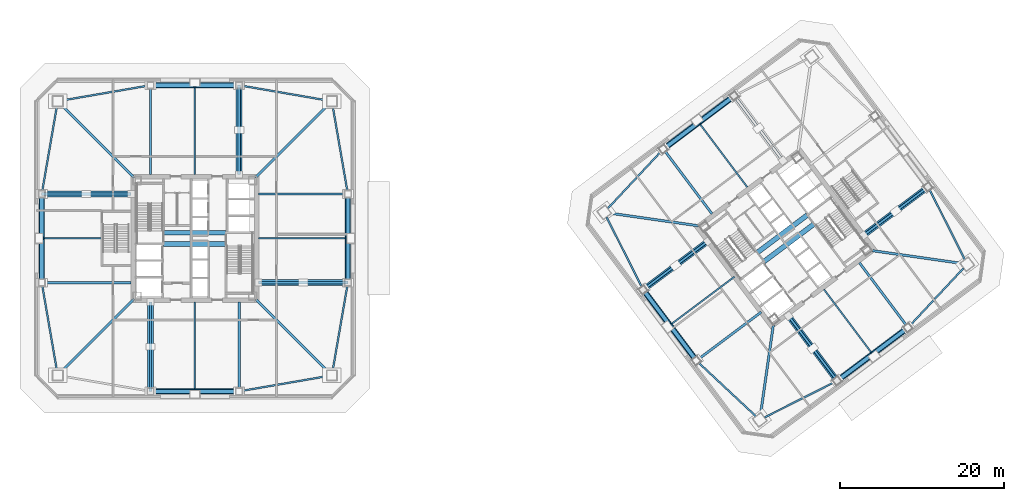
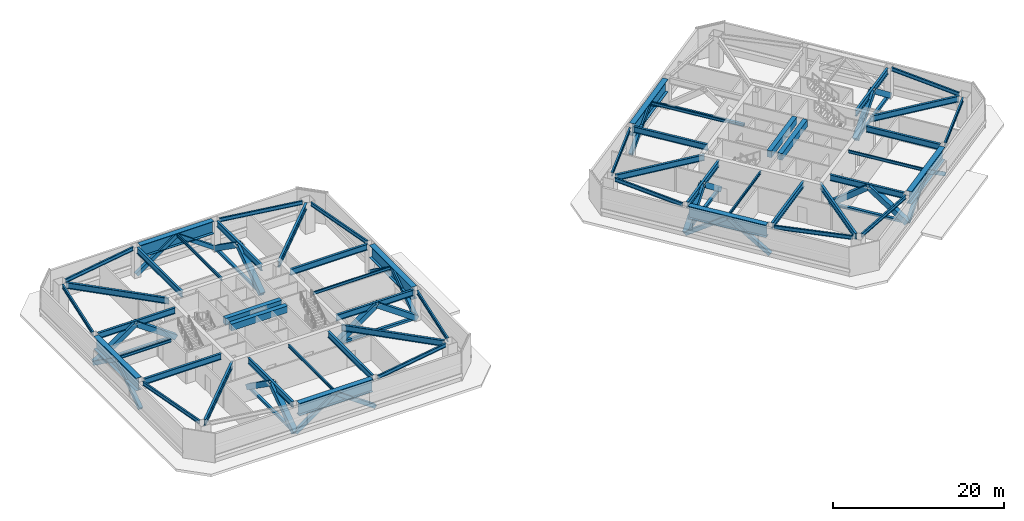
# One storey, part 3 of 15: 52 beams, 36 members.
"""IFC4 building model written with IfcOpenShell, lengths in metres."""

from ifc_helpers import new_model, si_unit, direction, frame, origin, origin_2d, place, context, subcontext, project, spatial, rectangle, hollow_rectangle, i_section, extrude, material, material_profile, profile_set, type_object, element, save


model = new_model("IFC4")

# Units and contexts
model_context = context("Model", 3, precision=1e-05, world=origin(), true_north=direction((0.0, 1.0)))
body_context = subcontext(model_context, "Body", "Model", "MODEL_VIEW")
ifc_project = project(units=[si_unit("LENGTHUNIT", "METRE"), si_unit("AREAUNIT", "SQUARE_METRE"), si_unit("VOLUMEUNIT", "CUBIC_METRE"), si_unit("PLANEANGLEUNIT", "RADIAN"), si_unit("MASSUNIT", "GRAM", prefix="KILO")], contexts=[model_context])

# Site, building, storey
site_placement = place(None, origin())
site = spatial("IfcSite", under=ifc_project, at=site_placement, CompositionType="ELEMENT")
building_placement = place(site_placement, origin())
building = spatial("IfcBuilding", under=site, at=building_placement, Name="Tashvorn Skyway Center", CompositionType="ELEMENT")
storey_placement = place(building_placement, frame((0.0, 0.0, 109.800048828125)))
storey = spatial("IfcBuildingStorey", under=building, at=storey_placement, Name="L29", CompositionType="ELEMENT", Elevation=109.800048828125)

# Beams
ifc_material_1 = material(Name="Steel ASTM A572 Grade 50", Category="steel")
ifc_material_profile_1 = material_profile(ifc_material_1, i_section(OverallWidth=0.699951171875, OverallDepth=1.800048828125, WebThickness=0.031982421875, FlangeThickness=0.050048828125, at=origin_2d()), Name="PG1800x700")
ifc_profile_set_1 = profile_set([ifc_material_profile_1], Name="Steel ASTM A572 Grade 50")
beam_type_1 = type_object("IfcBeamType", Name="BM-BEAM-PG1800x700", PredefinedType="BEAM", material=ifc_profile_set_1)
for number, where, z_axis, x_axis, name in (
    (1, (37.02001953125, 13.35009765625, 3.52001953125), (1.0, 0.0, 0.0), (0.0, 1.0, 0.0), "Tower 1 L29 Spandrel Beam 02"),
    (2, (60.64990234375, 27.02001953125, 3.52001953125), (0.0, 1.0, 0.0), (-1.0, 0.0, 0.0), "Tower 1 L29 Spandrel Beam 05"),
    (3, (46.97998046875, 50.64990234375, 3.52001953125), (-1.0, 0.0, 0.0), (0.0, -1.0, 0.0), "Tower 1 L29 Spandrel Beam 08"),
    (4, (23.35009765625, 36.97998046875, 3.52001953125), (0.0, -1.0, 0.0), (1.0, 0.0, 0.0), "Tower 1 L29 Spandrel Beam 11"),
    (5, (120.60595703125, 14.89208984375, 3.52001953125), (0.800008824351, 0.599988234018, 0.0), (-0.599988234018, 0.800008824351, 0.0), "Tower 2 L29 Spandrel Beam 02"),
    (6, (107.39404296875, 49.10791015625, 3.52001953125), (-0.800008824351, -0.599988234018, 0.0), (0.599988234018, -0.800008824351, 0.0), "Tower 2 L29 Spandrel Beam 08"),
    (7, (96.89208984375, 25.39404296875, 3.52001953125), (0.599988234018, -0.800008824351, 0.0), (0.800008824351, 0.599988234018, 0.0), "Tower 2 L29 Spandrel Beam 11"),
):
    element("IfcBeam", number, at=place(storey_placement, frame(where, z_axis=z_axis, x_axis=x_axis)), inside=storey, type_object=beam_type_1, Name=name, PredefinedType="BEAM", context=body_context, shape_type="SweptSolid", body=[
        extrude(i_section(OverallWidth=0.699951171875, OverallDepth=1.800048828125, WebThickness=0.031982421875, FlangeThickness=0.050048828125, at=origin_2d()), origin(), (0.0, 0.0, 1.0), 9.9599609375),
    ])
ifc_material_2 = material(Name="Steel ASTM A992 Grade 50", Category="steel")
ifc_material_profile_2 = material_profile(ifc_material_2, i_section(OverallWidth=0.2919921875, OverallDepth=0.85888671875, WebThickness=0.01708984375, FlangeThickness=0.031005859375, at=origin_2d()), Name="W33X169")
ifc_profile_set_2 = profile_set([ifc_material_profile_2], Name="Steel ASTM A992 Grade 50")
beam_type_2 = type_object("IfcBeamType", Name="BM-BEAM-W33X169", PredefinedType="BEAM", material=ifc_profile_set_2)
for number, where, z_axis, x_axis, name in (
    (8, (25.756103515625, 15.756103515625, 3.990478515625), (0.707106781187, 0.707106781187, 0.0), (-0.707106781187, 0.707106781187, 0.0), "Tower 1 L29 Primary Floor Girder MC-SW"),
    (9, (58.243896484375, 15.756103515625, 3.990478515625), (-0.707106781187, 0.707106781187, 0.0), (-0.707106781187, -0.707106781187, 0.0), "Tower 1 L29 Primary Floor Girder MC-SE"),
    (10, (58.243896484375, 48.243896484375, 3.990478515625), (-0.707106781187, -0.707106781187, 0.0), (0.707106781187, -0.707106781187, 0.0), "Tower 1 L29 Primary Floor Girder MC-NE"),
    (11, (25.756103515625, 48.243896484375, 3.990478515625), (0.707106781187, -0.707106781187, 0.0), (0.707106781187, 0.707106781187, 0.0), "Tower 1 L29 Primary Floor Girder MC-NW"),
):
    element("IfcBeam", number, at=place(storey_placement, frame(where, z_axis=z_axis, x_axis=x_axis)), inside=storey, type_object=beam_type_2, Name=name, PredefinedType="BEAM", context=body_context, shape_type="SweptSolid", body=[
        extrude(i_section(OverallWidth=0.2919921875, OverallDepth=0.85888671875, WebThickness=0.01708984375, FlangeThickness=0.031005859375, at=origin_2d()), origin(), (0.0, 0.0, 1.0), 12.50732421875),
    ])
for number, where, z_axis, x_axis, name in (
    (12, (36.60009765625, 13.77001953125, 3.990478515625), (0.0, 1.0, 0.0), (-1.0, 0.0, 0.0), "Tower 1 L29 Primary Floor Girder FC-S1"),
    (13, (47.39990234375, 13.77001953125, 3.990478515625), (0.0, 1.0, 0.0), (-1.0, 0.0, 0.0), "Tower 1 L29 Primary Floor Girder FC-S2"),
    (14, (60.22998046875, 26.60009765625, 3.990478515625), (-1.0, 0.0, 0.0), (0.0, -1.0, 0.0), "Tower 1 L29 Primary Floor Girder FC-E1"),
    (15, (60.22998046875, 37.39990234375, 3.990478515625), (-1.0, 0.0, 0.0), (0.0, -1.0, 0.0), "Tower 1 L29 Primary Floor Girder FC-E2"),
    (16, (47.39990234375, 50.22998046875, 3.990478515625), (0.0, -1.0, 0.0), (1.0, 0.0, 0.0), "Tower 1 L29 Primary Floor Girder FC-N1"),
    (17, (36.60009765625, 50.22998046875, 3.990478515625), (0.0, -1.0, 0.0), (1.0, 0.0, 0.0), "Tower 1 L29 Primary Floor Girder FC-N2"),
    (18, (23.77001953125, 37.39990234375, 3.990478515625), (1.0, 0.0, 0.0), (0.0, 1.0, 0.0), "Tower 1 L29 Primary Floor Girder FC-W1"),
    (19, (23.77001953125, 26.60009765625, 3.990478515625), (1.0, 0.0, 0.0), (0.0, 1.0, 0.0), "Tower 1 L29 Primary Floor Girder FC-W2"),
):
    element("IfcBeam", number, at=place(storey_placement, frame(where, z_axis=z_axis, x_axis=x_axis)), inside=storey, type_object=beam_type_2, Name=name, PredefinedType="BEAM", context=body_context, shape_type="SweptSolid", body=[
        extrude(i_section(OverallWidth=0.2919921875, OverallDepth=0.85888671875, WebThickness=0.01708984375, FlangeThickness=0.031005859375, at=origin_2d()), origin(), (0.0, 0.0, 1.0), 10.449951171875),
    ])
for number, where, z_axis, x_axis, name in (
    (20, (110.93115234375, 10.5185546875, 3.990478515625), (0.141430483583, 0.989948189712, 0.0), (-0.989948189712, 0.141430483583, 0.0), "Tower 2 L29 Primary Floor Girder MC-SW"),
    (21, (135.4814453125, 28.93115234375, 3.990478515625), (-0.989948189712, 0.141430483583, 0.0), (-0.141430483583, -0.989948189712, 0.0), "Tower 2 L29 Primary Floor Girder MC-SE"),
    (22, (92.5185546875, 35.06884765625, 3.990478515625), (0.989948189712, -0.141430483583, 0.0), (0.141430483583, 0.989948189712, 0.0), "Tower 2 L29 Primary Floor Girder MC-NW"),
):
    element("IfcBeam", number, at=place(storey_placement, frame(where, z_axis=z_axis, x_axis=x_axis)), inside=storey, type_object=beam_type_2, Name=name, PredefinedType="BEAM", context=body_context, shape_type="SweptSolid", body=[
        extrude(i_section(OverallWidth=0.2919921875, OverallDepth=0.85888671875, WebThickness=0.01708984375, FlangeThickness=0.031005859375, at=origin_2d()), origin(), (0.0, 0.0, 1.0), 11.234375),
    ])
for number, where, z_axis, x_axis, name in (
    (23, (120.01806640625, 14.97607421875, 3.990478515625), (-0.600020667896, 0.799984498661, 0.0), (-0.799984498661, -0.600020667896, 0.0), "Tower 2 L29 Primary Floor Girder FC-S1"),
    (24, (128.657958984375, 21.4560546875, 3.990478515625), (-0.599991732772, 0.800006200354, 0.0), (-0.800006200354, -0.599991732772, 0.0), "Tower 2 L29 Primary Floor Girder FC-S2"),
    (25, (131.02392578125, 38.01806640625, 3.990478515625), (-0.799984498661, -0.600020667896, 0.0), (0.600020667896, -0.799984498661, 0.0), "Tower 2 L29 Primary Floor Girder FC-E1"),
    (26, (99.342041015625, 42.5439453125, 3.990478515625), (0.599991732772, -0.800006200354, 0.0), (0.800006200354, 0.599991732772, 0.0), "Tower 2 L29 Primary Floor Girder FC-N2"),
    (27, (96.97607421875, 25.98193359375, 3.990478515625), (0.799984498661, 0.600020667896, 0.0), (-0.600020667896, 0.799984498661, 0.0), "Tower 2 L29 Primary Floor Girder FC-W1"),
    (28, (103.4560546875, 17.342041015625, 3.990478515625), (0.800006200354, 0.599991732772, 0.0), (-0.599991732772, 0.800006200354, 0.0), "Tower 2 L29 Primary Floor Girder FC-W2"),
):
    element("IfcBeam", number, at=place(storey_placement, frame(where, z_axis=z_axis, x_axis=x_axis)), inside=storey, type_object=beam_type_2, Name=name, PredefinedType="BEAM", context=body_context, shape_type="SweptSolid", body=[
        extrude(i_section(OverallWidth=0.2919921875, OverallDepth=0.85888671875, WebThickness=0.01708984375, FlangeThickness=0.031005859375, at=origin_2d()), origin(), (0.0, 0.0, 1.0), 9.449951171875),
    ])
ifc_material_profile_3 = material_profile(ifc_material_2, i_section(OverallWidth=0.177978515625, OverallDepth=0.406005859375, WebThickness=0.0078125, FlangeThickness=0.0126953125, at=origin_2d()), Name="W16X40")
ifc_profile_set_3 = profile_set([ifc_material_profile_3], Name="Steel ASTM A992 Grade 50")
beam_type_3 = type_object("IfcBeamType", Name="BM-JOIST-W16X40", PredefinedType="JOIST", material=ifc_profile_set_3)
for number, where, z_axis, x_axis, name in (
    (29, (42.0, 24.2099609375, 4.217041015625), (0.0, -1.0, 0.0), (1.0, 0.0, 0.0), "Tower 1 L29 Secondary Composite Joist JS"),
    (30, (42.0, 39.7900390625, 4.217041015625), (0.0, 1.0, 0.0), (-1.0, 0.0, 0.0), "Tower 1 L29 Secondary Composite Joist JN"),
    (31, (49.7900390625, 32.0, 4.217041015625), (1.0, 0.0, 0.0), (0.0, 1.0, 0.0), "Tower 1 L29 Secondary Composite Joist JE"),
):
    element("IfcBeam", number, at=place(storey_placement, frame(where, z_axis=z_axis, x_axis=x_axis)), inside=storey, type_object=beam_type_3, Name=name, PredefinedType="JOIST", context=body_context, shape_type="SweptSolid", body=[
        extrude(i_section(OverallWidth=0.177978515625, OverallDepth=0.406005859375, WebThickness=0.0078125, FlangeThickness=0.0126953125, at=origin_2d()), origin(), (0.0, 0.0, 1.0), 10.51806640625),
    ])
beam_1_placement = place(storey_placement, frame((30.610107421875, 32.0, 4.217041015625), z_axis=(-1.0, 0.0, 0.0), x_axis=(0.0, -1.0, 0.0)))
element("IfcBeam", 32, at=beam_1_placement, inside=storey, type_object=beam_type_3, Name="Tower 1 L29 Secondary Composite Joist JW", PredefinedType="JOIST", context=body_context, shape_type="SweptSolid", body=[
    extrude(i_section(OverallWidth=0.177978515625, OverallDepth=0.406005859375, WebThickness=0.0078125, FlangeThickness=0.0126953125, at=origin_2d()), origin(), (0.0, 0.0, 1.0), 6.918212890625),
])
for number, where, z_axis, x_axis, name in (
    (33, (118.674072265625, 25.76806640625, 4.217041015625), (0.599987687754, -0.800009234037, 0.0), (0.800009234037, 0.599987687754, 0.0), "Tower 2 L29 Secondary Composite Joist JS"),
    (34, (109.325927734375, 38.23193359375, 4.217041015625), (-0.599987687754, 0.800009234037, 0.0), (-0.800009234037, -0.599987687754, 0.0), "Tower 2 L29 Secondary Composite Joist JN"),
    (35, (107.76806640625, 27.325927734375, 4.217041015625), (-0.800009234037, -0.599987687754, 0.0), (0.599987687754, -0.800009234037, 0.0), "Tower 2 L29 Secondary Composite Joist JW"),
):
    element("IfcBeam", number, at=place(storey_placement, frame(where, z_axis=z_axis, x_axis=x_axis)), inside=storey, type_object=beam_type_3, Name=name, PredefinedType="JOIST", context=body_context, shape_type="SweptSolid", body=[
        extrude(i_section(OverallWidth=0.177978515625, OverallDepth=0.406005859375, WebThickness=0.0078125, FlangeThickness=0.0126953125, at=origin_2d()), origin(), (0.0, 0.0, 1.0), 9.51806640625),
    ])
ifc_material_3 = material(Name="Concrete C60/75", Category="concrete")
ifc_material_profile_4 = material_profile(ifc_material_3, rectangle(XDim=0.60009765625, YDim=0.949951171875, at=origin_2d()), Name="RCB600x950")
ifc_profile_set_4 = profile_set([ifc_material_profile_4], Name="Concrete C60/75")
beam_type_4 = type_object("IfcBeamType", Name="BM-LINTEL-RCB600x950", PredefinedType="LINTEL", material=ifc_profile_set_4)
for number, where, z_axis, x_axis, name in (
    (36, (38.199951171875, 32.679931640625, 3.945068359375), (1.0, 0.0, 0.0), (0.0, 1.0, 0.0), "Tower 1 L29 Core Coupling Beam CN"),
    (37, (38.199951171875, 31.320068359375, 3.945068359375), (1.0, 0.0, 0.0), (0.0, 1.0, 0.0), "Tower 1 L29 Core Coupling Beam CS"),
    (38, (110.552001953125, 30.263916015625, 3.945068359375), (0.8, 0.6, 0.0), (-0.6, 0.8, 0.0), "Tower 2 L29 Core Coupling Beam CN"),
    (39, (111.367919921875, 29.176025390625, 3.945068359375), (0.8, 0.6, 0.0), (-0.6, 0.8, 0.0), "Tower 2 L29 Core Coupling Beam CS"),
):
    element("IfcBeam", number, at=place(storey_placement, frame(where, z_axis=z_axis, x_axis=x_axis)), inside=storey, type_object=beam_type_4, Name=name, PredefinedType="LINTEL", context=body_context, shape_type="SweptSolid", body=[
        extrude(rectangle(XDim=0.60009765625, YDim=0.949951171875, at=origin_2d()), origin(), (0.0, 0.0, 1.0), 7.60009765625),
    ])
ifc_material_profile_5 = material_profile(ifc_material_2, i_section(OverallWidth=0.2109375, OverallDepth=0.5390625, WebThickness=0.01171875, FlangeThickness=0.018798828125, at=origin_2d()), Name="W21X73")
ifc_profile_set_5 = profile_set([ifc_material_profile_5], Name="Steel ASTM A992 Grade 50")
beam_type_5 = type_object("IfcBeamType", Name="BM-SPANDREL-W21X73", PredefinedType="SPANDREL", material=ifc_profile_set_5)
for number, where, z_axis, x_axis, name in (
    (40, (47.81396484375, 13.42138671875, 4.150390625), (0.985432458462, 0.170067250846, 0.0), (-0.170067250846, 0.985432458462, 0.0), "Tower 1 L29 Spandrel Beam 03"),
    (41, (58.8095703125, 15.935546875, 4.150390625), (0.170067250846, 0.985432458462, 0.0), (-0.985432458462, 0.170067250846, 0.0), "Tower 1 L29 Spandrel Beam 04"),
    (42, (60.57861328125, 37.81396484375, 4.150390625), (-0.170067250846, 0.985432458462, 0.0), (-0.985432458462, -0.170067250846, 0.0), "Tower 1 L29 Spandrel Beam 06"),
    (43, (58.064453125, 48.8095703125, 4.150390625), (-0.985432458462, 0.170067250846, 0.0), (-0.170067250846, -0.985432458462, 0.0), "Tower 1 L29 Spandrel Beam 07"),
    (44, (36.18603515625, 50.57861328125, 4.150390625), (-0.985432458462, -0.170067250846, 0.0), (0.170067250846, -0.985432458462, 0.0), "Tower 1 L29 Spandrel Beam 09"),
    (45, (25.1904296875, 48.064453125, 4.150390625), (-0.170067250846, -0.985432458462, 0.0), (0.985432458462, -0.170067250846, 0.0), "Tower 1 L29 Spandrel Beam 10"),
    (46, (23.42138671875, 26.18603515625, 4.150390625), (0.170067250846, -0.985432458462, 0.0), (0.985432458462, 0.170067250846, 0.0), "Tower 1 L29 Spandrel Beam 12"),
):
    element("IfcBeam", number, at=place(storey_placement, frame(where, z_axis=z_axis, x_axis=x_axis)), inside=storey, type_object=beam_type_5, Name=name, PredefinedType="SPANDREL", context=body_context, shape_type="SweptSolid", body=[
        extrude(i_section(OverallWidth=0.2109375, OverallDepth=0.5390625, WebThickness=0.01171875, FlangeThickness=0.018798828125, at=origin_2d()), origin(), (0.0, 0.0, 1.0), 10.402099609375),
    ])
beam_2_placement = place(storey_placement, frame((111.415771484375, 10.170654296875, 4.150390625), z_axis=(0.892719124217, 0.450613543136, 0.0), x_axis=(-0.450613543136, 0.892719124217, 0.0)))
element("IfcBeam", 47, at=beam_2_placement, inside=storey, type_object=beam_type_5, Name="Tower 2 L29 Spandrel Beam 01", PredefinedType="SPANDREL", context=body_context, shape_type="SweptSolid", body=[
    extrude(i_section(OverallWidth=0.2109375, OverallDepth=0.5390625, WebThickness=0.01171875, FlangeThickness=0.018798828125, at=origin_2d()), origin(), (0.0, 0.0, 1.0), 9.498291015625),
])
beam_3_placement = place(storey_placement, frame((129.19677734375, 21.427001953125, 4.150390625), z_axis=(0.682545341102, 0.730843250868, 0.0), x_axis=(-0.730843250868, 0.682545341102, 0.0)))
element("IfcBeam", 48, at=beam_3_placement, inside=storey, type_object=beam_type_5, Name="Tower 2 L29 Spandrel Beam 03", PredefinedType="SPANDREL", context=body_context, shape_type="SweptSolid", body=[
    extrude(i_section(OverallWidth=0.2109375, OverallDepth=0.5390625, WebThickness=0.01171875, FlangeThickness=0.018798828125, at=origin_2d()), origin(), (0.0, 0.0, 1.0), 9.498046875),
])
beam_4_placement = place(storey_placement, frame((135.829345703125, 29.415771484375, 4.150390625), z_axis=(-0.450613543136, 0.892719124217, 0.0), x_axis=(-0.892719124217, -0.450613543136, 0.0)))
element("IfcBeam", 49, at=beam_4_placement, inside=storey, type_object=beam_type_5, Name="Tower 2 L29 Spandrel Beam 04", PredefinedType="SPANDREL", context=body_context, shape_type="SweptSolid", body=[
    extrude(i_section(OverallWidth=0.2109375, OverallDepth=0.5390625, WebThickness=0.01171875, FlangeThickness=0.018798828125, at=origin_2d()), origin(), (0.0, 0.0, 1.0), 9.498291015625),
])
beam_5_placement = place(storey_placement, frame((98.80322265625, 42.572998046875, 4.150390625), z_axis=(-0.682545341102, -0.730843250868, 0.0), x_axis=(0.730843250868, -0.682545341102, 0.0)))
element("IfcBeam", 50, at=beam_5_placement, inside=storey, type_object=beam_type_5, Name="Tower 2 L29 Spandrel Beam 09", PredefinedType="SPANDREL", context=body_context, shape_type="SweptSolid", body=[
    extrude(i_section(OverallWidth=0.2109375, OverallDepth=0.5390625, WebThickness=0.01171875, FlangeThickness=0.018798828125, at=origin_2d()), origin(), (0.0, 0.0, 1.0), 9.498046875),
])
beam_6_placement = place(storey_placement, frame((92.170654296875, 34.584228515625, 4.150390625), z_axis=(0.450613543136, -0.892719124217, 0.0), x_axis=(0.892719124217, 0.450613543136, 0.0)))
element("IfcBeam", 51, at=beam_6_placement, inside=storey, type_object=beam_type_5, Name="Tower 2 L29 Spandrel Beam 10", PredefinedType="SPANDREL", context=body_context, shape_type="SweptSolid", body=[
    extrude(i_section(OverallWidth=0.2109375, OverallDepth=0.5390625, WebThickness=0.01171875, FlangeThickness=0.018798828125, at=origin_2d()), origin(), (0.0, 0.0, 1.0), 9.498291015625),
])
beam_7_placement = place(storey_placement, frame((103.427001953125, 16.80322265625, 4.150390625), z_axis=(0.730843250868, -0.682545341102, 0.0), x_axis=(0.682545341102, 0.730843250868, 0.0)))
element("IfcBeam", 52, at=beam_7_placement, inside=storey, type_object=beam_type_5, Name="Tower 2 L29 Spandrel Beam 12", PredefinedType="SPANDREL", context=body_context, shape_type="SweptSolid", body=[
    extrude(i_section(OverallWidth=0.2109375, OverallDepth=0.5390625, WebThickness=0.01171875, FlangeThickness=0.018798828125, at=origin_2d()), origin(), (0.0, 0.0, 1.0), 9.498046875),
])

# Members
ifc_material_profile_6 = material_profile(ifc_material_1, hollow_rectangle(XDim=0.5, YDim=0.5, WallThickness=0.02001953125, at=origin_2d()), Name="HSS500x500x20")
ifc_profile_set_6 = profile_set([ifc_material_profile_6], Name="Steel ASTM A572 Grade 50")
member_type_1 = type_object("IfcMemberType", Name="MEM-BT-500", PredefinedType="BRACE", material=ifc_profile_set_6)
for number, where, z_axis, x_axis, name in (
    (53, (36.60009765625, 13.35009765625, 0.25), (0.816371073096, 0.0, 0.577527723155), (0.0, 1.0, 0.0), "Tower 1 L29 Perimeter Belt Truss BS-1"),
    (54, (42.0, 13.35009765625, 4.070068359375), (0.816371073096, 0.0, -0.577527723155), (0.0, 1.0, 0.0), "Tower 1 L29 Perimeter Belt Truss BS-2"),
    (55, (36.60009765625, 50.64990234375, 0.25), (0.816371073096, 0.0, 0.577527723155), (0.0, 1.0, 0.0), "Tower 1 L29 Perimeter Belt Truss BN-1"),
    (56, (42.0, 50.64990234375, 4.070068359375), (0.816371073096, 0.0, -0.577527723155), (0.0, 1.0, 0.0), "Tower 1 L29 Perimeter Belt Truss BN-2"),
    (57, (60.64990234375, 26.60009765625, 0.25), (0.0, 0.816371073096, 0.577527723155), (-1.0, 0.0, 0.0), "Tower 1 L29 Perimeter Belt Truss BE-1"),
    (58, (60.64990234375, 32.0, 4.070068359375), (0.0, 0.816371073096, -0.577527723155), (-1.0, 0.0, 0.0), "Tower 1 L29 Perimeter Belt Truss BE-2"),
    (59, (23.35009765625, 26.60009765625, 0.25), (0.0, 0.816371073096, 0.577527723155), (-1.0, 0.0, 0.0), "Tower 1 L29 Perimeter Belt Truss BW-1"),
    (60, (23.35009765625, 32.0, 4.070068359375), (0.0, 0.816371073096, -0.577527723155), (-1.0, 0.0, 0.0), "Tower 1 L29 Perimeter Belt Truss BW-2"),
):
    element("IfcMember", number, at=place(storey_placement, frame(where, z_axis=z_axis, x_axis=x_axis)), inside=storey, type_object=member_type_1, Name=name, PredefinedType="BRACE", context=body_context, shape_type="SweptSolid", body=[
        extrude(hollow_rectangle(XDim=0.5, YDim=0.5, WallThickness=0.02001953125, at=origin_2d()), origin(), (0.0, 0.0, 1.0), 6.614501953125),
    ])
member_1_placement = place(storey_placement, frame((120.27001953125, 14.639892578125, 0.25), z_axis=(0.653107196595, 0.489821170162, 0.577517282007), x_axis=(-0.599992766245, 0.800005425265, 0.0)))
element("IfcMember", 61, at=member_1_placement, inside=storey, type_object=member_type_1, Name="Tower 2 L29 Perimeter Belt Truss BS-1", PredefinedType="BRACE", context=body_context, shape_type="SweptSolid", body=[
    extrude(hollow_rectangle(XDim=0.5, YDim=0.5, WallThickness=0.02001953125, at=origin_2d()), origin(), (0.0, 0.0, 1.0), 6.61474609375),
])
for number, where, z_axis, x_axis, name in (
    (62, (124.590087890625, 17.8798828125, 4.070068359375), (0.653074222492, 0.48986103091, -0.577520761802), (-0.600043401895, 0.799967446739, 0.0), "Tower 2 L29 Perimeter Belt Truss BS-2"),
    (63, (99.090087890625, 42.8798828125, 0.25), (0.653074222492, 0.48986103091, 0.577520761802), (-0.600043401895, 0.799967446739, 0.0), "Tower 2 L29 Perimeter Belt Truss BN-1"),
):
    element("IfcMember", number, at=place(storey_placement, frame(where, z_axis=z_axis, x_axis=x_axis)), inside=storey, type_object=member_type_1, Name=name, PredefinedType="BRACE", context=body_context, shape_type="SweptSolid", body=[
        extrude(hollow_rectangle(XDim=0.5, YDim=0.5, WallThickness=0.02001953125, at=origin_2d()), origin(), (0.0, 0.0, 1.0), 6.614501953125),
    ])
member_2_placement = place(storey_placement, frame((103.409912109375, 46.1201171875, 4.070068359375), z_axis=(0.653107196595, 0.489821170162, -0.577517282007), x_axis=(-0.599992766245, 0.800005425265, 0.0)))
element("IfcMember", 64, at=member_2_placement, inside=storey, type_object=member_type_1, Name="Tower 2 L29 Perimeter Belt Truss BN-2", PredefinedType="BRACE", context=body_context, shape_type="SweptSolid", body=[
    extrude(hollow_rectangle(XDim=0.5, YDim=0.5, WallThickness=0.02001953125, at=origin_2d()), origin(), (0.0, 0.0, 1.0), 6.61474609375),
])
member_3_placement = place(storey_placement, frame((103.1201171875, 17.090087890625, 0.25), z_axis=(-0.48986103091, 0.653074222492, 0.577520761802), x_axis=(-0.799967446739, -0.600043401895, 0.0)))
element("IfcMember", 65, at=member_3_placement, inside=storey, type_object=member_type_1, Name="Tower 2 L29 Perimeter Belt Truss BW-1", PredefinedType="BRACE", context=body_context, shape_type="SweptSolid", body=[
    extrude(hollow_rectangle(XDim=0.5, YDim=0.5, WallThickness=0.02001953125, at=origin_2d()), origin(), (0.0, 0.0, 1.0), 6.614501953125),
])
member_4_placement = place(storey_placement, frame((99.8798828125, 21.409912109375, 4.070068359375), z_axis=(-0.489821170162, 0.653107196595, -0.577517282007), x_axis=(-0.800005425265, -0.599992766245, 0.0)))
element("IfcMember", 66, at=member_4_placement, inside=storey, type_object=member_type_1, Name="Tower 2 L29 Perimeter Belt Truss BW-2", PredefinedType="BRACE", context=body_context, shape_type="SweptSolid", body=[
    extrude(hollow_rectangle(XDim=0.5, YDim=0.5, WallThickness=0.02001953125, at=origin_2d()), origin(), (0.0, 0.0, 1.0), 6.61474609375),
])
ifc_material_profile_7 = material_profile(ifc_material_1, hollow_rectangle(XDim=0.35009765625, YDim=0.35009765625, WallThickness=0.01611328125, at=origin_2d()), Name="HSS350x350x16")
ifc_profile_set_7 = profile_set([ifc_material_profile_7], Name="Steel ASTM A572 Grade 50")
member_type_2 = type_object("IfcMemberType", Name="MEM-BT-CHD-350", PredefinedType="CHORD", material=ifc_profile_set_7)
for number, where, z_axis, x_axis, name in (
    (67, (47.39990234375, 39.780029296875, 0.25), (0.0, 1.0, 0.0), (-1.0, 0.0, 0.0), "Tower 1 L29 Outrigger Bottom Chord N1"),
    (68, (36.60009765625, 24.219970703125, 0.25), (0.0, -1.0, 0.0), (1.0, 0.0, 0.0), "Tower 1 L29 Outrigger Bottom Chord S1"),
    (69, (49.780029296875, 26.60009765625, 0.25), (1.0, 0.0, 0.0), (0.0, 1.0, 0.0), "Tower 1 L29 Outrigger Bottom Chord E1"),
    (70, (34.219970703125, 37.39990234375, 0.25), (-1.0, 0.0, 0.0), (0.0, -1.0, 0.0), "Tower 1 L29 Outrigger Bottom Chord W1"),
):
    element("IfcMember", number, at=place(storey_placement, frame(where, z_axis=z_axis, x_axis=x_axis)), inside=storey, type_object=member_type_2, Name=name, PredefinedType="CHORD", context=body_context, shape_type="SweptSolid", body=[
        extrude(hollow_rectangle(XDim=0.35009765625, YDim=0.35009765625, WallThickness=0.01611328125, at=origin_2d()), origin(), (0.0, 0.0, 1.0), 10.869873046875),
    ])
for number, where, z_axis, x_axis, name in (
    (71, (113.652099609375, 41.464111328125, 0.25), (-0.600007915316, 0.799994063452, 0.0), (-0.799994063452, -0.600007915316, 0.0), "Tower 2 L29 Outrigger Bottom Chord N1"),
    (72, (114.347900390625, 22.535888671875, 0.25), (0.600007915316, -0.799994063452, 0.0), (0.799994063452, 0.600007915316, 0.0), "Tower 2 L29 Outrigger Bottom Chord S1"),
    (73, (123.464111328125, 32.347900390625, 0.25), (0.799994063452, 0.600007915316, 0.0), (-0.600007915316, 0.799994063452, 0.0), "Tower 2 L29 Outrigger Bottom Chord E1"),
    (74, (104.535888671875, 31.652099609375, 0.25), (-0.799994063452, -0.600007915316, 0.0), (0.600007915316, -0.799994063452, 0.0), "Tower 2 L29 Outrigger Bottom Chord W1"),
):
    element("IfcMember", number, at=place(storey_placement, frame(where, z_axis=z_axis, x_axis=x_axis)), inside=storey, type_object=member_type_2, Name=name, PredefinedType="CHORD", context=body_context, shape_type="SweptSolid", body=[
        extrude(hollow_rectangle(XDim=0.35009765625, YDim=0.35009765625, WallThickness=0.01611328125, at=origin_2d()), origin(), (0.0, 0.0, 1.0), 9.8701171875),
    ])
ifc_material_profile_8 = material_profile(ifc_material_1, hollow_rectangle(XDim=0.699951171875, YDim=0.699951171875, WallThickness=0.028076171875, at=origin_2d()), Name="BOX700x700x28")
ifc_profile_set_8 = profile_set([ifc_material_profile_8], Name="Steel ASTM A572 Grade 50")
member_type_3 = type_object("IfcMemberType", Name="MEM-OB-700", PredefinedType="BRACE", material=ifc_profile_set_8)
member_5_placement = place(storey_placement, frame((47.39990234375, 39.780029296875, 0.25), z_axis=(0.0, 0.818132353104, 0.57502995818), x_axis=(-1.0, 0.0, 0.0)))
element("IfcMember", 75, at=member_5_placement, inside=storey, type_object=member_type_3, Name="Tower 1 L29 Outrigger Truss Diagonal N1-1", PredefinedType="BRACE", context=body_context, shape_type="SweptSolid", body=[
    extrude(hollow_rectangle(XDim=0.699951171875, YDim=0.699951171875, WallThickness=0.028076171875, at=origin_2d()), origin(), (0.0, 0.0, 1.0), 6.643310546875),
])
member_6_placement = place(storey_placement, frame((47.39990234375, 45.215087890625, 4.070068359375), z_axis=(0.0, 0.818120200764, -0.575047247713), x_axis=(-1.0, 0.0, 0.0)))
element("IfcMember", 76, at=member_6_placement, inside=storey, type_object=member_type_3, Name="Tower 1 L29 Outrigger Truss Diagonal N1-2", PredefinedType="BRACE", context=body_context, shape_type="SweptSolid", body=[
    extrude(hollow_rectangle(XDim=0.699951171875, YDim=0.699951171875, WallThickness=0.028076171875, at=origin_2d()), origin(), (0.0, 0.0, 1.0), 6.64306640625),
])
member_7_placement = place(storey_placement, frame((36.60009765625, 24.219970703125, 0.25), z_axis=(0.0, -0.818132353104, 0.57502995818), x_axis=(1.0, 0.0, 0.0)))
element("IfcMember", 77, at=member_7_placement, inside=storey, type_object=member_type_3, Name="Tower 1 L29 Outrigger Truss Diagonal S1-1", PredefinedType="BRACE", context=body_context, shape_type="SweptSolid", body=[
    extrude(hollow_rectangle(XDim=0.699951171875, YDim=0.699951171875, WallThickness=0.028076171875, at=origin_2d()), origin(), (0.0, 0.0, 1.0), 6.643310546875),
])
member_8_placement = place(storey_placement, frame((36.60009765625, 18.784912109375, 4.070068359375), z_axis=(0.0, -0.818120200764, -0.575047247713), x_axis=(1.0, 0.0, 0.0)))
element("IfcMember", 78, at=member_8_placement, inside=storey, type_object=member_type_3, Name="Tower 1 L29 Outrigger Truss Diagonal S1-2", PredefinedType="BRACE", context=body_context, shape_type="SweptSolid", body=[
    extrude(hollow_rectangle(XDim=0.699951171875, YDim=0.699951171875, WallThickness=0.028076171875, at=origin_2d()), origin(), (0.0, 0.0, 1.0), 6.64306640625),
])
member_9_placement = place(storey_placement, frame((49.780029296875, 26.60009765625, 0.25), z_axis=(0.818132353104, 0.0, 0.57502995818), x_axis=(0.0, 1.0, 0.0)))
element("IfcMember", 79, at=member_9_placement, inside=storey, type_object=member_type_3, Name="Tower 1 L29 Outrigger Truss Diagonal E1-1", PredefinedType="BRACE", context=body_context, shape_type="SweptSolid", body=[
    extrude(hollow_rectangle(XDim=0.699951171875, YDim=0.699951171875, WallThickness=0.028076171875, at=origin_2d()), origin(), (0.0, 0.0, 1.0), 6.643310546875),
])
member_10_placement = place(storey_placement, frame((55.215087890625, 26.60009765625, 4.070068359375), z_axis=(0.818120200764, 0.0, -0.575047247713), x_axis=(0.0, 1.0, 0.0)))
element("IfcMember", 80, at=member_10_placement, inside=storey, type_object=member_type_3, Name="Tower 1 L29 Outrigger Truss Diagonal E1-2", PredefinedType="BRACE", context=body_context, shape_type="SweptSolid", body=[
    extrude(hollow_rectangle(XDim=0.699951171875, YDim=0.699951171875, WallThickness=0.028076171875, at=origin_2d()), origin(), (0.0, 0.0, 1.0), 6.64306640625),
])
member_11_placement = place(storey_placement, frame((34.219970703125, 37.39990234375, 0.25), z_axis=(-0.818132353104, 0.0, 0.57502995818), x_axis=(0.0, -1.0, 0.0)))
element("IfcMember", 81, at=member_11_placement, inside=storey, type_object=member_type_3, Name="Tower 1 L29 Outrigger Truss Diagonal W1-1", PredefinedType="BRACE", context=body_context, shape_type="SweptSolid", body=[
    extrude(hollow_rectangle(XDim=0.699951171875, YDim=0.699951171875, WallThickness=0.028076171875, at=origin_2d()), origin(), (0.0, 0.0, 1.0), 6.643310546875),
])
member_12_placement = place(storey_placement, frame((28.784912109375, 37.39990234375, 4.070068359375), z_axis=(-0.818120200764, 0.0, -0.575047247713), x_axis=(0.0, -1.0, 0.0)))
element("IfcMember", 82, at=member_12_placement, inside=storey, type_object=member_type_3, Name="Tower 1 L29 Outrigger Truss Diagonal W1-2", PredefinedType="BRACE", context=body_context, shape_type="SweptSolid", body=[
    extrude(hollow_rectangle(XDim=0.699951171875, YDim=0.699951171875, WallThickness=0.028076171875, at=origin_2d()), origin(), (0.0, 0.0, 1.0), 6.64306640625),
])
member_13_placement = place(storey_placement, frame((114.347900390625, 22.535888671875, 0.25), z_axis=(0.474483713745, -0.632605831888, 0.612107071396), x_axis=(0.799982190385, 0.600023745419, 0.0)))
element("IfcMember", 83, at=member_13_placement, inside=storey, type_object=member_type_3, Name="Tower 2 L29 Outrigger Truss Diagonal S1-1", PredefinedType="BRACE", context=body_context, shape_type="SweptSolid", body=[
    extrude(hollow_rectangle(XDim=0.699951171875, YDim=0.699951171875, WallThickness=0.028076171875, at=origin_2d()), origin(), (0.0, 0.0, 1.0), 6.240966796875),
])
member_14_placement = place(storey_placement, frame((117.30908203125, 18.587890625, 4.070068359375), z_axis=(0.474453400351, -0.632617573967, -0.612118432989), x_axis=(0.800005936558, 0.599992084508, 0.0)))
element("IfcMember", 84, at=member_14_placement, inside=storey, type_object=member_type_3, Name="Tower 2 L29 Outrigger Truss Diagonal S1-2", PredefinedType="BRACE", context=body_context, shape_type="SweptSolid", body=[
    extrude(hollow_rectangle(XDim=0.699951171875, YDim=0.699951171875, WallThickness=0.028076171875, at=origin_2d()), origin(), (0.0, 0.0, 1.0), 6.24072265625),
])
member_15_placement = place(storey_placement, frame((123.464111328125, 32.347900390625, 0.25), z_axis=(0.632605831888, 0.474483713745, 0.612107071396), x_axis=(-0.600023745419, 0.799982190385, 0.0)))
element("IfcMember", 85, at=member_15_placement, inside=storey, type_object=member_type_3, Name="Tower 2 L29 Outrigger Truss Diagonal E1-1", PredefinedType="BRACE", context=body_context, shape_type="SweptSolid", body=[
    extrude(hollow_rectangle(XDim=0.699951171875, YDim=0.699951171875, WallThickness=0.028076171875, at=origin_2d()), origin(), (0.0, 0.0, 1.0), 6.240966796875),
])
member_16_placement = place(storey_placement, frame((127.412109375, 35.30908203125, 4.070068359375), z_axis=(0.632617573967, 0.474453400351, -0.612118432989), x_axis=(-0.599992084508, 0.800005936558, 0.0)))
element("IfcMember", 86, at=member_16_placement, inside=storey, type_object=member_type_3, Name="Tower 2 L29 Outrigger Truss Diagonal E1-2", PredefinedType="BRACE", context=body_context, shape_type="SweptSolid", body=[
    extrude(hollow_rectangle(XDim=0.699951171875, YDim=0.699951171875, WallThickness=0.028076171875, at=origin_2d()), origin(), (0.0, 0.0, 1.0), 6.24072265625),
])
member_17_placement = place(storey_placement, frame((104.535888671875, 31.652099609375, 0.25), z_axis=(-0.632605831888, -0.474483713745, 0.612107071396), x_axis=(0.600023745419, -0.799982190385, 0.0)))
element("IfcMember", 87, at=member_17_placement, inside=storey, type_object=member_type_3, Name="Tower 2 L29 Outrigger Truss Diagonal W1-1", PredefinedType="BRACE", context=body_context, shape_type="SweptSolid", body=[
    extrude(hollow_rectangle(XDim=0.699951171875, YDim=0.699951171875, WallThickness=0.028076171875, at=origin_2d()), origin(), (0.0, 0.0, 1.0), 6.240966796875),
])
member_18_placement = place(storey_placement, frame((100.587890625, 28.69091796875, 4.070068359375), z_axis=(-0.632617573967, -0.474453400351, -0.612118432989), x_axis=(0.599992084508, -0.800005936558, 0.0)))
element("IfcMember", 88, at=member_18_placement, inside=storey, type_object=member_type_3, Name="Tower 2 L29 Outrigger Truss Diagonal W1-2", PredefinedType="BRACE", context=body_context, shape_type="SweptSolid", body=[
    extrude(hollow_rectangle(XDim=0.699951171875, YDim=0.699951171875, WallThickness=0.028076171875, at=origin_2d()), origin(), (0.0, 0.0, 1.0), 6.24072265625),
])

save(model, "model.ifc")
